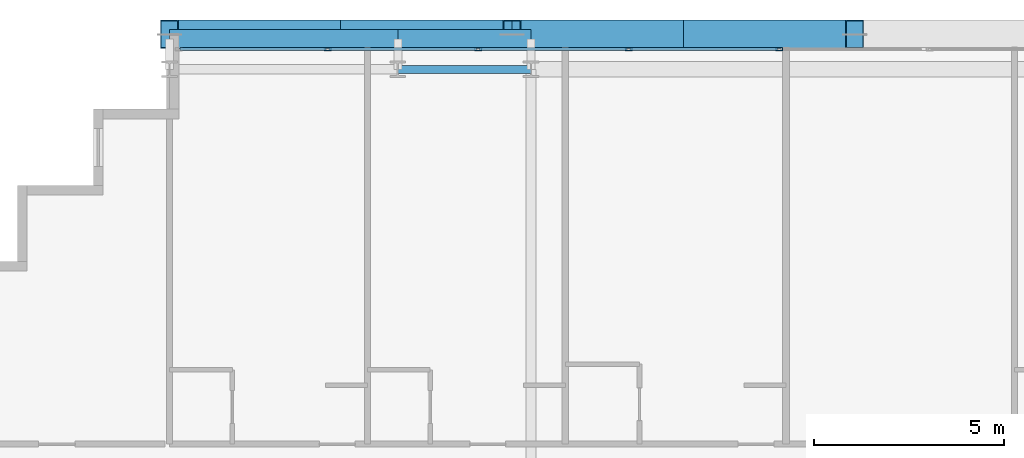
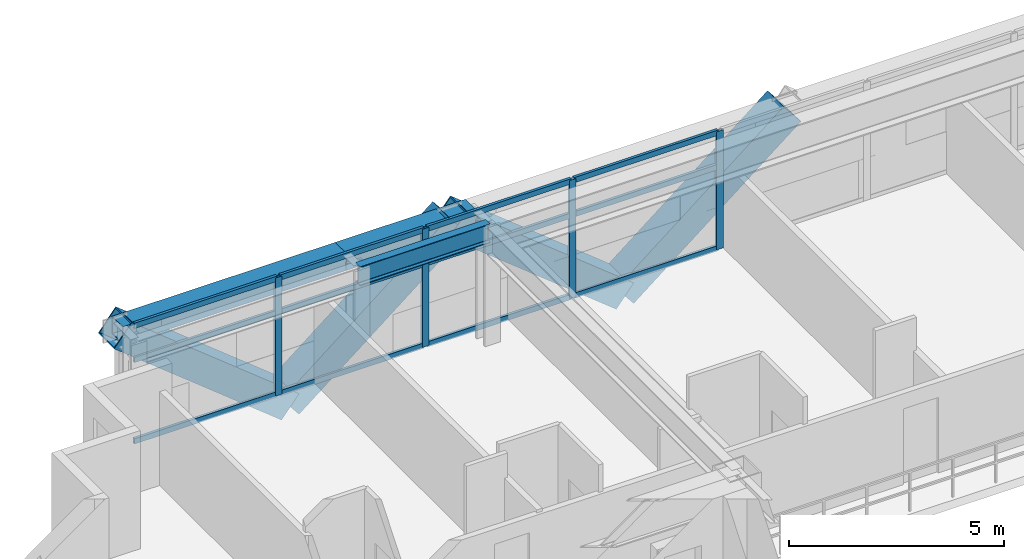
# One storey, part 18 of 35: 20 members, 3 beams, 1 element without a shape of its own.
"""IFC4 building model written with IfcOpenShell, lengths in metres."""

from ifc_helpers import new_model, si_unit, direction, frame, origin, origin_2d, place, context, subcontext, project, spatial, hollow_rectangle, i_section, extrude, source, transform, mapped, material, layer, layer_set, material_profile, profile_set, type_object, element, aggregate, save


model = new_model("IFC4")

# Units and contexts
model_context = context("Model", 3, precision=1e-05, world=origin(), true_north=direction((0.0, 1.0)))
body_context = subcontext(model_context, "Body", "Model", "MODEL_VIEW")
ifc_project = project(units=[si_unit("LENGTHUNIT", "METRE"), si_unit("AREAUNIT", "SQUARE_METRE"), si_unit("VOLUMEUNIT", "CUBIC_METRE"), si_unit("PLANEANGLEUNIT", "RADIAN"), si_unit("MASSUNIT", "GRAM", prefix="KILO")], contexts=[model_context])

# Site, building, storey
site_placement = place(None, origin())
site = spatial("IfcSite", under=ifc_project, at=site_placement, CompositionType="ELEMENT")
building_placement = place(site_placement, origin())
building = spatial("IfcBuilding", under=site, at=building_placement, Name="Ocotamira Hotel", CompositionType="ELEMENT")
storey_placement = place(building_placement, frame((0.0, 0.0, 100.800048828125)))
storey = spatial("IfcBuildingStorey", under=building, at=storey_placement, Name="L24", CompositionType="ELEMENT", Elevation=100.800048828125)

# Beams
ifc_material_1 = material(Name="Steel ASTM A992 Grade 50", Category="steel")
ifc_material_profile_1 = material_profile(ifc_material_1, i_section(OverallWidth=0.2099609375, OverallDepth=0.537109375, WebThickness=0.010986328125, FlangeThickness=0.017333984375, FilletRadius=0.012939453125, at=origin_2d()), Name="W21X68")
ifc_profile_set_1 = profile_set([ifc_material_profile_1], Name="Steel ASTM A992 Grade 50")
beam_type_1 = type_object("IfcBeamType", Name="BM-SEC-W21X68", PredefinedType="JOIST", material=ifc_profile_set_1)
shared_shape_1 = source(origin(), body_context, "Body", "SweptSolid", [
    extrude(i_section(OverallWidth=0.2099609375, OverallDepth=0.537109375, WebThickness=0.010986328125, FlangeThickness=0.017333984375, FilletRadius=0.012939453125, at=origin_2d()), origin(), (0.0, 0.0, 1.0), 3.5),
])
beam_1_placement = place(storey_placement, frame((20.0, 49.050048828125, 3.091552734375), z_axis=(1.0, 0.0, 0.0), x_axis=(0.0, 1.0, 0.0)))
element("IfcBeam", 1, at=beam_1_placement, inside=storey, type_object=beam_type_1, Name="L24 Girder Y49.05 X20-23.5", PredefinedType="JOIST", context=body_context, shape_type="MappedRepresentation", body=[
    mapped(shared_shape_1, transform((0.0, 0.0, 0.0), scale=1.0)),
])
ifc_material_2 = material(Name="Steel ASTM A500 Grade C", Category="steel")
ifc_material_profile_2 = material_profile(ifc_material_2, hollow_rectangle(XDim=0.5, YDim=0.5, WallThickness=0.02001953125, at=origin_2d()), Name="HSS500X500X20")
ifc_profile_set_2 = profile_set([ifc_material_profile_2], Name="Steel ASTM A500 Grade C")
beam_type_2 = type_object("IfcBeamType", Name="BM-SPAN-HSS500", PredefinedType="USERDEFINED", material=ifc_profile_set_2)
shared_shape_2 = source(origin(), body_context, "Body", "SweptSolid", [
    extrude(hollow_rectangle(XDim=0.5, YDim=0.5, WallThickness=0.02001953125, at=origin_2d()), origin(), (0.0, 0.0, 1.0), 6.0),
])
beam_2_placement = place(storey_placement, frame((14.0, 49.85009765625, 3.10986328125), z_axis=(1.0, 0.0, 0.0), x_axis=(0.0, 1.0, 0.0)))
element("IfcBeam", 2, at=beam_2_placement, inside=storey, type_object=beam_type_2, Name="L24 Edge Spandrel N X14-20", ObjectType="SPANDREL", PredefinedType="USERDEFINED", context=body_context, shape_type="MappedRepresentation", body=[
    mapped(shared_shape_2, transform((0.0, 0.0, 0.0), scale=1.0)),
])
shared_shape_3 = source(origin(), body_context, "Body", "SweptSolid", [
    extrude(hollow_rectangle(XDim=0.5, YDim=0.5, WallThickness=0.02001953125, at=origin_2d()), origin(), (0.0, 0.0, 1.0), 3.5),
])
beam_3_placement = place(storey_placement, frame((20.0, 49.85009765625, 3.10986328125), z_axis=(1.0, 0.0, 0.0), x_axis=(0.0, 1.0, 0.0)))
element("IfcBeam", 3, at=beam_3_placement, inside=storey, type_object=beam_type_2, Name="L24 Edge Spandrel N X20-23.5", ObjectType="SPANDREL", PredefinedType="USERDEFINED", context=body_context, shape_type="MappedRepresentation", body=[
    mapped(shared_shape_3, transform((0.0, 0.0, 0.0), scale=1.0)),
])

# Members
ifc_material_3 = material(Name="Pale-metal coated steel ASTM A913 Grade 65", Category="steel")
ifc_material_profile_3 = material_profile(ifc_material_3, hollow_rectangle(XDim=0.75, YDim=0.75, WallThickness=0.028076171875, at=origin_2d()), Name="BOX750X750X28")
ifc_profile_set_3 = profile_set([ifc_material_profile_3], Name="Pale-metal coated steel ASTM A913 Grade 65")
member_type_1 = type_object("IfcMemberType", Name="MEM-EXO-BOX750", PredefinedType="BRACE", material=ifc_profile_set_3)
shared_shape_4 = source(origin(), body_context, "Body", "SweptSolid", [
    extrude(hollow_rectangle(XDim=0.75, YDim=0.75, WallThickness=0.028076171875, at=origin_2d()), origin(), (0.0, 0.0, 1.0), 5.7626953125),
])
for number, where, z_axis, x_axis, name in (
    (4, (18.5, 49.969970703125, -0.489990234375), (-0.780881208953, 0.0, 0.624679547852), (0.0, -1.0, 0.0), "L24 Exoskeleton Diagrid N0.1"),
    (5, (18.5, 49.969970703125, -0.489990234375), (0.780881208953, 0.0, 0.624679547852), (0.0, 1.0, 0.0), "L24 Exoskeleton Diagrid N0.2"),
    (6, (27.5, 49.969970703125, -0.489990234375), (-0.780881208953, 0.0, 0.624679547852), (0.0, -1.0, 0.0), "L24 Exoskeleton Diagrid N1.1"),
    (7, (27.5, 49.969970703125, -0.489990234375), (0.780881208953, 0.0, 0.624679547852), (0.0, 1.0, 0.0), "L24 Exoskeleton Diagrid N1.2"),
):
    element("IfcMember", number, at=place(storey_placement, frame(where, z_axis=z_axis, x_axis=x_axis)), inside=storey, type_object=member_type_1, Name=name, PredefinedType="BRACE", context=body_context, shape_type="MappedRepresentation", body=[
        mapped(shared_shape_4, transform((0.0, 0.0, 0.0), scale=1.0)),
    ])

# Curtain wall, members
ifc_material_4 = material(Name="Anodised pale-metal aluminium and solar glass", Category="aluminium")
ifc_layer = layer(ifc_material_4, 0.179931640625)
ifc_layer_set = layer_set([ifc_layer], Name="Anodised pale-metal aluminium and solar glass")
curtain_wall_type = type_object("IfcCurtainWallType", Name="CW-SYS3-Z2", PredefinedType="NOTDEFINED", material=ifc_layer_set)
curtain_wall_placement = place(storey_placement, origin())
curtain_wall = element("IfcCurtainWall", 8, at=curtain_wall_placement, inside=storey, type_object=curtain_wall_type, Name="L24 Curtain Wall CW-3 CW-L24-N", PredefinedType="NOTDEFINED")
ifc_material_5 = material(Name="Anodised pale-metal aluminium 6063-T6", Category="aluminium")
ifc_material_profile_4 = material_profile(ifc_material_5, hollow_rectangle(XDim=0.074951171875, YDim=0.14990234375, WallThickness=0.006103515625, at=origin_2d()), Name="HSS150X75X6")
ifc_profile_set_4 = profile_set([ifc_material_profile_4], Name="Anodised pale-metal aluminium 6063-T6")
member_type_2 = type_object("IfcMemberType", Name="CWT-150X75", PredefinedType="USERDEFINED", material=ifc_profile_set_4)
shared_shape_5 = source(origin(), body_context, "Body", "SweptSolid", [
    extrude(hollow_rectangle(XDim=0.074951171875, YDim=0.14990234375, WallThickness=0.006103515625, at=origin_2d()), origin(), (0.0, 0.0, 1.0), 3.83544921875),
])
member_1_placement = place(storey_placement, frame((14.280029296875, 49.580078125, 0.037353515625), z_axis=(1.0, 0.0, 0.0), x_axis=(0.0, 1.0, 0.0)))
member_1 = element("IfcMember", 9, at=member_1_placement, type_object=member_type_2, Name="CW-3 transom 1.1", ObjectType="TRANSOM", PredefinedType="USERDEFINED", context=body_context, shape_type="MappedRepresentation", body=[
    mapped(shared_shape_5, transform((0.0, 0.0, 0.0), scale=1.0)),
])
member_2_placement = place(storey_placement, frame((14.280029296875, 49.580078125, 2.349853515625), z_axis=(1.0, 0.0, 0.0), x_axis=(0.0, 1.0, 0.0)))
member_2 = element("IfcMember", 10, at=member_2_placement, type_object=member_type_2, Name="CW-3 transom 1.2", ObjectType="TRANSOM", PredefinedType="USERDEFINED", context=body_context, shape_type="MappedRepresentation", body=[
    mapped(shared_shape_5, transform((0.0, 0.0, 0.0), scale=1.0)),
])
member_3_placement = place(storey_placement, frame((14.280029296875, 49.580078125, 3.322509765625), z_axis=(1.0, 0.0, 0.0), x_axis=(0.0, 1.0, 0.0)))
member_3 = element("IfcMember", 11, at=member_3_placement, type_object=member_type_2, Name="CW-3 transom 1.3", ObjectType="TRANSOM", PredefinedType="USERDEFINED", context=body_context, shape_type="MappedRepresentation", body=[
    mapped(shared_shape_5, transform((0.0, 0.0, 0.0), scale=1.0)),
])
shared_shape_6 = source(origin(), body_context, "Body", "SweptSolid", [
    extrude(hollow_rectangle(XDim=0.074951171875, YDim=0.14990234375, WallThickness=0.006103515625, at=origin_2d()), origin(), (0.0, 0.0, 1.0), 3.87548828125),
])
member_4_placement = place(storey_placement, frame((18.195556640625, 49.580078125, 0.037353515625), z_axis=(1.0, 0.0, 0.0), x_axis=(0.0, 1.0, 0.0)))
member_4 = element("IfcMember", 12, at=member_4_placement, type_object=member_type_2, Name="CW-3 transom 2.1", ObjectType="TRANSOM", PredefinedType="USERDEFINED", context=body_context, shape_type="MappedRepresentation", body=[
    mapped(shared_shape_6, transform((0.0, 0.0, 0.0), scale=1.0)),
])
member_5_placement = place(storey_placement, frame((18.195556640625, 49.580078125, 2.349853515625), z_axis=(1.0, 0.0, 0.0), x_axis=(0.0, 1.0, 0.0)))
member_5 = element("IfcMember", 13, at=member_5_placement, type_object=member_type_2, Name="CW-3 transom 2.2", ObjectType="TRANSOM", PredefinedType="USERDEFINED", context=body_context, shape_type="MappedRepresentation", body=[
    mapped(shared_shape_6, transform((0.0, 0.0, 0.0), scale=1.0)),
])
member_6_placement = place(storey_placement, frame((18.195556640625, 49.580078125, 3.322509765625), z_axis=(1.0, 0.0, 0.0), x_axis=(0.0, 1.0, 0.0)))
member_6 = element("IfcMember", 14, at=member_6_placement, type_object=member_type_2, Name="CW-3 transom 2.3", ObjectType="TRANSOM", PredefinedType="USERDEFINED", context=body_context, shape_type="MappedRepresentation", body=[
    mapped(shared_shape_6, transform((0.0, 0.0, 0.0), scale=1.0)),
])
member_7_placement = place(storey_placement, frame((22.151123046875, 49.580078125, 0.037353515625), z_axis=(1.0, 0.0, 0.0), x_axis=(0.0, 1.0, 0.0)))
member_7 = element("IfcMember", 15, at=member_7_placement, type_object=member_type_2, Name="CW-3 transom 3.1", ObjectType="TRANSOM", PredefinedType="USERDEFINED", context=body_context, shape_type="MappedRepresentation", body=[
    mapped(shared_shape_6, transform((0.0, 0.0, 0.0), scale=1.0)),
])
member_8_placement = place(storey_placement, frame((22.151123046875, 49.580078125, 2.349853515625), z_axis=(1.0, 0.0, 0.0), x_axis=(0.0, 1.0, 0.0)))
member_8 = element("IfcMember", 16, at=member_8_placement, type_object=member_type_2, Name="CW-3 transom 3.2", ObjectType="TRANSOM", PredefinedType="USERDEFINED", context=body_context, shape_type="MappedRepresentation", body=[
    mapped(shared_shape_6, transform((0.0, 0.0, 0.0), scale=1.0)),
])
member_9_placement = place(storey_placement, frame((22.151123046875, 49.580078125, 3.322509765625), z_axis=(1.0, 0.0, 0.0), x_axis=(0.0, 1.0, 0.0)))
member_9 = element("IfcMember", 17, at=member_9_placement, type_object=member_type_2, Name="CW-3 transom 3.3", ObjectType="TRANSOM", PredefinedType="USERDEFINED", context=body_context, shape_type="MappedRepresentation", body=[
    mapped(shared_shape_6, transform((0.0, 0.0, 0.0), scale=1.0)),
])
member_10_placement = place(storey_placement, frame((26.106689453125, 49.580078125, 0.037353515625), z_axis=(1.0, 0.0, 0.0), x_axis=(0.0, 1.0, 0.0)))
member_10 = element("IfcMember", 18, at=member_10_placement, type_object=member_type_2, Name="CW-3 transom 4.1", ObjectType="TRANSOM", PredefinedType="USERDEFINED", context=body_context, shape_type="MappedRepresentation", body=[
    mapped(shared_shape_6, transform((0.0, 0.0, 0.0), scale=1.0)),
])
member_11_placement = place(storey_placement, frame((26.106689453125, 49.580078125, 2.349853515625), z_axis=(1.0, 0.0, 0.0), x_axis=(0.0, 1.0, 0.0)))
member_11 = element("IfcMember", 19, at=member_11_placement, type_object=member_type_2, Name="CW-3 transom 4.2", ObjectType="TRANSOM", PredefinedType="USERDEFINED", context=body_context, shape_type="MappedRepresentation", body=[
    mapped(shared_shape_6, transform((0.0, 0.0, 0.0), scale=1.0)),
])
member_12_placement = place(storey_placement, frame((26.106689453125, 49.580078125, 3.322509765625), z_axis=(1.0, 0.0, 0.0), x_axis=(0.0, 1.0, 0.0)))
member_12 = element("IfcMember", 20, at=member_12_placement, type_object=member_type_2, Name="CW-3 transom 4.3", ObjectType="TRANSOM", PredefinedType="USERDEFINED", context=body_context, shape_type="MappedRepresentation", body=[
    mapped(shared_shape_6, transform((0.0, 0.0, 0.0), scale=1.0)),
])
ifc_material_profile_5 = material_profile(ifc_material_5, hollow_rectangle(XDim=0.080078125, YDim=0.179931640625, WallThickness=0.006103515625, at=origin_2d()), Name="HSS180X80X6")
ifc_profile_set_5 = profile_set([ifc_material_profile_5], Name="Anodised pale-metal aluminium 6063-T6")
member_type_3 = type_object("IfcMemberType", Name="CWM-180X75", PredefinedType="MULLION", material=ifc_profile_set_5)
shared_shape_7 = source(origin(), body_context, "Body", "SweptSolid", [
    extrude(hollow_rectangle(XDim=0.080078125, YDim=0.179931640625, WallThickness=0.006103515625, at=origin_2d()), origin(), (0.0, 0.0, 1.0), 3.35986328125),
])
member_13_placement = place(storey_placement, frame((18.155517578125, 49.580078125, 0.0), z_axis=(0.0, 0.0, 1.0), x_axis=(0.0, 1.0, 0.0)))
member_13 = element("IfcMember", 21, at=member_13_placement, type_object=member_type_3, Name="CW-3 mullion 2", PredefinedType="MULLION", context=body_context, shape_type="MappedRepresentation", body=[
    mapped(shared_shape_7, transform((0.0, 0.0, 0.0), scale=1.0)),
])
member_14_placement = place(storey_placement, frame((22.111083984375, 49.580078125, 0.0), z_axis=(0.0, 0.0, 1.0), x_axis=(0.0, 1.0, 0.0)))
member_14 = element("IfcMember", 22, at=member_14_placement, type_object=member_type_3, Name="CW-3 mullion 3", PredefinedType="MULLION", context=body_context, shape_type="MappedRepresentation", body=[
    mapped(shared_shape_7, transform((0.0, 0.0, 0.0), scale=1.0)),
])
member_15_placement = place(storey_placement, frame((26.066650390625, 49.580078125, 0.0), z_axis=(0.0, 0.0, 1.0), x_axis=(0.0, 1.0, 0.0)))
member_15 = element("IfcMember", 23, at=member_15_placement, type_object=member_type_3, Name="CW-3 mullion 4", PredefinedType="MULLION", context=body_context, shape_type="MappedRepresentation", body=[
    mapped(shared_shape_7, transform((0.0, 0.0, 0.0), scale=1.0)),
])
member_16_placement = place(storey_placement, frame((30.022216796875, 49.580078125, 0.0), z_axis=(0.0, 0.0, 1.0), x_axis=(0.0, 1.0, 0.0)))
member_16 = element("IfcMember", 24, at=member_16_placement, type_object=member_type_3, Name="CW-3 mullion 5", PredefinedType="MULLION", context=body_context, shape_type="MappedRepresentation", body=[
    mapped(shared_shape_7, transform((0.0, 0.0, 0.0), scale=1.0)),
])
aggregate(curtain_wall, [member_13, member_14, member_15, member_16, member_1, member_2, member_3, member_4, member_5, member_6, member_7, member_8, member_9, member_10, member_11, member_12])

save(model, "model.ifc")
